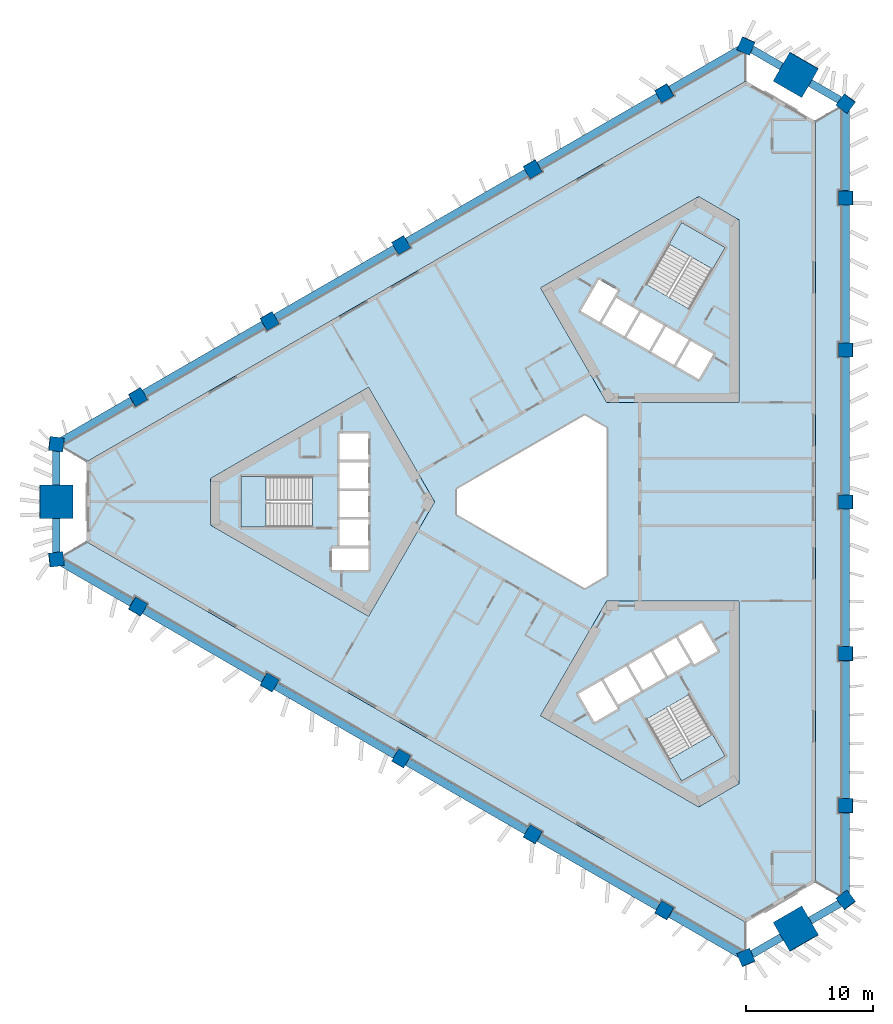
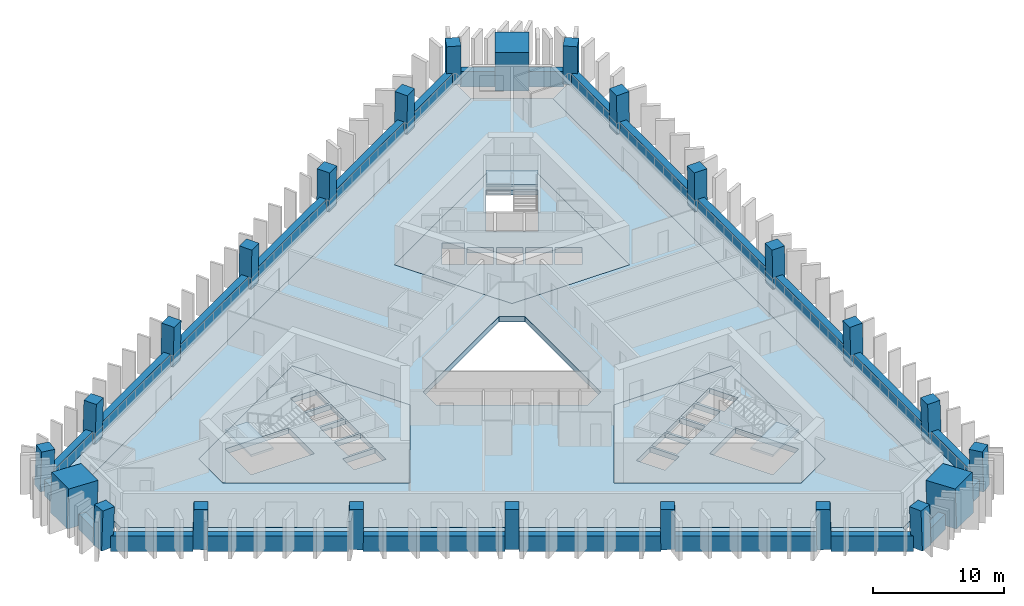
# One storey, part 1 of 10: 24 beams, 24 columns, 10 slabs, 3 elements without a shape of their own.
"""IFC4 building model written with IfcOpenShell, lengths in metres."""

from ifc_helpers import new_model, si_unit, direction, frame, origin, origin_2d, place, context, subcontext, project, spatial, polyline, rectangle, outline, extrude, material, layer, layer_set, material_profile, profile_set, type_object, element, aggregate, save


model = new_model("IFC4")

# Units and contexts
model_context = context("Model", 3, precision=1e-05, world=origin(), true_north=direction((0.0, 1.0)))
body_context = subcontext(model_context, "Body", "Model", "MODEL_VIEW")
ifc_project = project(units=[si_unit("LENGTHUNIT", "METRE"), si_unit("AREAUNIT", "SQUARE_METRE"), si_unit("VOLUMEUNIT", "CUBIC_METRE"), si_unit("PLANEANGLEUNIT", "RADIAN"), si_unit("MASSUNIT", "GRAM", prefix="KILO")], contexts=[model_context])

# Site, building, storey
site_placement = place(None, origin())
site = spatial("IfcSite", under=ifc_project, at=site_placement, CompositionType="ELEMENT")
building_placement = place(site_placement, origin())
building = spatial("IfcBuilding", under=site, at=building_placement, Name="Jabali Bay Hotel Tower and Convention Centre", CompositionType="ELEMENT")
storey_placement = place(building_placement, frame((0.0, 0.0, 68.39990234375)))
storey = spatial("IfcBuildingStorey", under=building, at=storey_placement, Name="L15", CompositionType="ELEMENT", Elevation=68.39990234375)

# Columns
ifc_material_1 = material(Name="Concrete C60", Category="concrete")
ifc_material_profile_1 = material_profile(ifc_material_1, rectangle(XDim=1.10009765625, YDim=1.10009765625, at=origin_2d()), Name="Frame column 1100")
ifc_profile_set_1 = profile_set([ifc_material_profile_1], Name="Concrete C60")
column_type_1 = type_object("IfcColumnType", Name="Frame column 1100", PredefinedType="COLUMN", material=ifc_profile_set_1)
column_1_placement = place(storey_placement, frame((84.02685546875, 112.087158203125, 0.0), z_axis=(-0.008375902173, -0.028161497857, 0.999568293966), x_axis=(0.865846465491, 0.499854562095, 0.021338110262)))
element("IfcColumn", 1, at=column_1_placement, inside=storey, type_object=column_type_1, Name="FC2 F1.1 L15", PredefinedType="COLUMN", context=body_context, shape_type="SweptSolid", body=[
    extrude(rectangle(XDim=1.10009765625, YDim=1.10009765625, at=origin_2d()), origin(), (0.0, 0.0, 1.0), 3.701904296875),
])
column_2_placement = place(storey_placement, frame((73.69482421875, 106.121826171875, 0.0), z_axis=(0.000857522362, -0.02282328747, 0.99973914708), x_axis=(0.866054521305, 0.499835732571, 0.010668016277)))
element("IfcColumn", 2, at=column_2_placement, inside=storey, type_object=column_type_1, Name="FC2 F1.2 L15", PredefinedType="COLUMN", context=body_context, shape_type="SweptSolid", body=[
    extrude(rectangle(XDim=1.10009765625, YDim=1.10009765625, at=origin_2d()), origin(), (0.0, 0.0, 1.0), 3.701171875),
])
column_3_placement = place(storey_placement, frame((63.362548828125, 100.156494140625, 0.0), z_axis=(0.010092954999, -0.017481261926, 0.999796248113), x_axis=(0.866020200589, 0.50000901209, 8.5611e-08)))
element("IfcColumn", 3, at=column_3_placement, inside=storey, type_object=column_type_1, Name="FC2 F1.3 L15", PredefinedType="COLUMN", context=body_context, shape_type="SweptSolid", body=[
    extrude(rectangle(XDim=1.10009765625, YDim=1.10009765625, at=origin_2d()), origin(), (0.0, 0.0, 1.0), 3.700927734375),
])
column_4_placement = place(storey_placement, frame((53.030517578125, 94.191162109375, 0.0), z_axis=(0.019327242333, -0.012137244332, 0.999739538582), x_axis=(-0.500205640682, 0.865671471182, 0.020179717829)))
element("IfcColumn", 4, at=column_4_placement, inside=storey, type_object=column_type_1, Name="FC2 F1.4 L15", PredefinedType="COLUMN", context=body_context, shape_type="SweptSolid", body=[
    extrude(rectangle(XDim=1.10009765625, YDim=1.10009765625, at=origin_2d()), origin(), (0.0, 0.0, 1.0), 3.701171875),
])
for number, where, z_axis, x_axis, name in (
    (5, (42.6982421875, 88.22607421875, 0.0), (0.028557219273, -0.006859008786, 0.999568626571), (-0.498515256127, 0.866645794777, 0.020189249707), "FC2 F1.5 L15"),
    (6, (42.6982421875, 71.77392578125, 0.0), (0.028557219273, 0.006859008786, 0.999568626571), (-0.86641042505, 0.498876758723, 0.021329673472), "FC2 F2.1 L15"),
):
    element("IfcColumn", number, at=place(storey_placement, frame(where, z_axis=z_axis, x_axis=x_axis)), inside=storey, type_object=column_type_1, Name=name, PredefinedType="COLUMN", context=body_context, shape_type="SweptSolid", body=[
        extrude(rectangle(XDim=1.10009765625, YDim=1.10009765625, at=origin_2d()), origin(), (0.0, 0.0, 1.0), 3.701904296875),
    ])
column_5_placement = place(storey_placement, frame((53.030517578125, 65.808837890625, 0.0), z_axis=(0.019327242333, 0.012137244332, 0.999739538582), x_axis=(-0.865690923328, 0.500465374709, 0.010659924227)))
element("IfcColumn", 7, at=column_5_placement, inside=storey, type_object=column_type_1, Name="FC2 F2.2 L15", PredefinedType="COLUMN", context=body_context, shape_type="SweptSolid", body=[
    extrude(rectangle(XDim=1.10009765625, YDim=1.10009765625, at=origin_2d()), origin(), (0.0, 0.0, 1.0), 3.701171875),
])
column_6_placement = place(storey_placement, frame((63.362548828125, 59.843505859375, 0.0), z_axis=(0.010092954999, 0.017481261926, 0.999796248113), x_axis=(-0.499907135807, -0.865843746475, 0.020185694418)))
element("IfcColumn", 8, at=column_6_placement, inside=storey, type_object=column_type_1, Name="FC2 F2.3 L15", PredefinedType="COLUMN", context=body_context, shape_type="SweptSolid", body=[
    extrude(rectangle(XDim=1.10009765625, YDim=1.10009765625, at=origin_2d()), origin(), (0.0, 0.0, 1.0), 3.700927734375),
])
column_7_placement = place(storey_placement, frame((73.69482421875, 53.878173828125, 0.0), z_axis=(0.000857522362, 0.02282328747, 0.99973914708), x_axis=(-0.499948828163, -0.865819460392, 0.020194831622)))
element("IfcColumn", 9, at=column_7_placement, inside=storey, type_object=column_type_1, Name="FC2 F2.4 L15", PredefinedType="COLUMN", context=body_context, shape_type="SweptSolid", body=[
    extrude(rectangle(XDim=1.10009765625, YDim=1.10009765625, at=origin_2d()), origin(), (0.0, 0.0, 1.0), 3.701171875),
])
for number, where, z_axis, x_axis, name in (
    (10, (84.02685546875, 47.912841796875, 0.0), (-0.008375902173, 0.028161497857, 0.999568293966), (-0.500239685011, -0.865651400271, 0.02019680047), "FC2 F2.5 L15"),
    (11, (98.274658203125, 56.138916015625, 0.0), (-0.020181329236, 0.021302514194, 0.999569365697), (0.000221612322, -0.999772863353, 0.021311325431), "FC2 F0.1 L15"),
):
    element("IfcColumn", number, at=place(storey_placement, frame(where, z_axis=z_axis, x_axis=x_axis)), inside=storey, type_object=column_type_1, Name=name, PredefinedType="COLUMN", context=body_context, shape_type="SweptSolid", body=[
        extrude(rectangle(XDim=1.10009765625, YDim=1.10009765625, at=origin_2d()), origin(), (0.0, 0.0, 1.0), 3.701904296875),
    ])
column_8_placement = place(storey_placement, frame((98.274658203125, 68.069580078125, 0.0), z_axis=(-0.02018477153, 0.01062009221, 0.999739860484), x_axis=(0.00152725116, -0.999942088064, 0.010653075682)))
element("IfcColumn", 12, at=column_8_placement, inside=storey, type_object=column_type_1, Name="FC2 F0.2 L15", PredefinedType="COLUMN", context=body_context, shape_type="SweptSolid", body=[
    extrude(rectangle(XDim=1.10009765625, YDim=1.10009765625, at=origin_2d()), origin(), (0.0, 0.0, 1.0), 3.701171875),
])
column_9_placement = place(storey_placement, frame((98.274658203125, 80.0, 0.0), z_axis=(-0.02018590991, 0.0, 0.999796243762), x_axis=(0.0, -1.0, 0.0)))
element("IfcColumn", 13, at=column_9_placement, inside=storey, type_object=column_type_1, Name="FC2 F0.3 L15", PredefinedType="COLUMN", context=body_context, shape_type="SweptSolid", body=[
    extrude(rectangle(XDim=1.10009765625, YDim=1.10009765625, at=origin_2d()), origin(), (0.0, 0.0, 1.0), 3.700927734375),
])
column_10_placement = place(storey_placement, frame((98.274658203125, 91.930419921875, 0.0), z_axis=(-0.02018477153, -0.01062009221, 0.999739860484), x_axis=(0.999795100259, -0.00174188376, 0.020167383043)))
element("IfcColumn", 14, at=column_10_placement, inside=storey, type_object=column_type_1, Name="FC2 F0.4 L15", PredefinedType="COLUMN", context=body_context, shape_type="SweptSolid", body=[
    extrude(rectangle(XDim=1.10009765625, YDim=1.10009765625, at=origin_2d()), origin(), (0.0, 0.0, 1.0), 3.701171875),
])
column_11_placement = place(storey_placement, frame((98.274658203125, 103.861083984375, 0.0), z_axis=(-0.020181329236, -0.021302514194, 0.999569365697), x_axis=(0.999796311675, -0.000651607763, 0.020172024417)))
element("IfcColumn", 15, at=column_11_placement, inside=storey, type_object=column_type_1, Name="FC2 F0.5 L15", PredefinedType="COLUMN", context=body_context, shape_type="SweptSolid", body=[
    extrude(rectangle(XDim=1.10009765625, YDim=1.10009765625, at=origin_2d()), origin(), (0.0, 0.0, 1.0), 3.701904296875),
])
for number, where, z_axis, x_axis, name in (
    (16, (98.274658203125, 48.729736328125, 0.0), (-0.020177412175, 0.029013272408, 0.999375355941), (-0.802294874752, -0.596926841554, 0.001131273331), "FC2 V0 L15"),
    (17, (98.274658203125, 111.270263671875, 0.0), (-0.020177412175, -0.029013272408, 0.999375355941), (0.59658679669, 0.801770899856, 0.035321638673), "FC2 V1 L15"),
    (18, (90.443359375, 115.79150390625, 0.0), (-0.015034182801, -0.031914668753, 0.999377519892), (0.917824152126, -0.396985578302, 0.001129776114), "FC2 V2 L15"),
    (19, (36.281982421875, 84.521484375, 0.0), (0.035145708895, -0.002967273734, 0.999377793646), (-0.992630567005, 0.115938808427, 0.035252661559), "FC2 V3 L15"),
    (20, (36.281982421875, 75.478515625, 0.0), (0.035145708895, 0.002967273734, 0.999377793646), (-0.11597127486, 0.99325192574, 0.001129345001), "FC2 V4 L15"),
    (21, (90.443359375, 44.20849609375, 0.0), (-0.015034182801, 0.031914668753, 0.999377519892), (0.396702406246, -0.91726981011, 0.035260407543), "FC2 V5 L15"),
):
    element("IfcColumn", number, at=place(storey_placement, frame(where, z_axis=z_axis, x_axis=x_axis)), inside=storey, type_object=column_type_1, Name=name, PredefinedType="COLUMN", context=body_context, shape_type="SweptSolid", body=[
        extrude(rectangle(XDim=1.10009765625, YDim=1.10009765625, at=origin_2d()), origin(), (0.0, 0.0, 1.0), 3.702392578125),
    ])
ifc_material_2 = material(Name="Concrete C70", Category="concrete")
ifc_material_profile_2 = material_profile(ifc_material_2, rectangle(XDim=2.60009765625, YDim=2.60009765625, at=origin_2d()), Name="Mega column 2600")
ifc_profile_set_2 = profile_set([ifc_material_profile_2], Name="Concrete C70")
column_type_2 = type_object("IfcColumnType", Name="Mega column 2600", PredefinedType="COLUMN", material=ifc_profile_set_2)
for number, where, z_axis, x_axis, name in (
    (22, (94.359130859375, 113.531005859375, 0.0), (-0.017605841609, -0.030529980019, 0.999378784376), (0.866282372425, -0.499554652892, 2.36814e-07), "MC2 M1 L15"),
    (23, (36.281982421875, 80.0, 0.0), (0.03514586362, 0.0, 0.999382193293), (0.0, 1.0, 0.0), "MC2 M0 L15"),
    (24, (94.359130859375, 46.468994140625, 0.0), (-0.017605841609, 0.030529980019, 0.999378784376), (0.499244314507, -0.86574422845, 0.035242663615), "MC2 M2 L15"),
):
    element("IfcColumn", number, at=place(storey_placement, frame(where, z_axis=z_axis, x_axis=x_axis)), inside=storey, type_object=column_type_2, Name=name, PredefinedType="COLUMN", context=body_context, shape_type="SweptSolid", body=[
        extrude(rectangle(XDim=2.60009765625, YDim=2.60009765625, at=origin_2d()), origin(), (0.0, 0.0, 1.0), 3.702392578125),
    ])

# Beams
ifc_material_profile_3 = material_profile(ifc_material_1, rectangle(XDim=0.60009765625, YDim=1.449951171875, at=origin_2d()), Name="Spandrel 600x1450")
ifc_profile_set_3 = profile_set([ifc_material_profile_3], Name="Concrete C60")
beam_type = type_object("IfcBeamType", Name="Spandrel 600x1450", PredefinedType="SPANDREL", material=ifc_profile_set_3)
beam_1_placement = place(storey_placement, frame((93.2265625, 114.16943359375, 0.375), z_axis=(-0.866012012228, 0.500023194138, 0.0), x_axis=(-0.500023194138, -0.866012012228, 0.0)))
element("IfcBeam", 25, at=beam_1_placement, inside=storey, type_object=beam_type, Name="Spandrel M1-V2 L15", PredefinedType="SPANDREL", context=body_context, shape_type="SweptSolid", body=[
    extrude(rectangle(XDim=0.60009765625, YDim=1.449951171875, at=origin_2d()), origin(), (0.0, 0.0, 1.0), 2.670166015625),
])
beam_2_placement = place(storey_placement, frame((89.96142578125, 115.504638671875, 0.375), z_axis=(-0.866030860659, -0.499990548297, 0.0), x_axis=(0.499990548297, -0.866030860659, 0.0)))
element("IfcBeam", 26, at=beam_2_placement, inside=storey, type_object=beam_type, Name="Spandrel V2-F1.1 L15", PredefinedType="SPANDREL", context=body_context, shape_type="SweptSolid", body=[
    extrude(rectangle(XDim=0.60009765625, YDim=1.449951171875, at=origin_2d()), origin(), (0.0, 0.0, 1.0), 6.30615234375),
])
for number, where, z_axis, x_axis, name in (
    (27, (83.54736328125, 111.801513671875, 0.375), (-0.866021104788, -0.500007446007, 0.0), (0.500007446007, -0.866021104788, 0.0), "Spandrel F1.1-F1.2 L15"),
    (28, (73.21875, 105.838134765625, 0.375), (-0.866030869389, -0.499990533176, 0.0), (0.499990533176, -0.866030869389, 0.0), "Spandrel F1.2-F1.3 L15"),
    (29, (62.89013671875, 99.875, 0.375), (-0.866021104788, -0.500007446007, 0.0), (0.500007446007, -0.866021104788, 0.0), "Spandrel F1.3-F1.4 L15"),
):
    element("IfcBeam", number, at=place(storey_placement, frame(where, z_axis=z_axis, x_axis=x_axis)), inside=storey, type_object=beam_type, Name=name, PredefinedType="SPANDREL", context=body_context, shape_type="SweptSolid", body=[
        extrude(rectangle(XDim=0.60009765625, YDim=1.449951171875, at=origin_2d()), origin(), (0.0, 0.0, 1.0), 10.826416015625),
    ])
beam_3_placement = place(storey_placement, frame((52.5615234375, 93.91162109375, 0.375), z_axis=(-0.866036506645, -0.499980768789, 0.0), x_axis=(0.499980768789, -0.866036506645, 0.0)))
element("IfcBeam", 30, at=beam_3_placement, inside=storey, type_object=beam_type, Name="Spandrel F1.4-F1.5 L15", PredefinedType="SPANDREL", context=body_context, shape_type="SweptSolid", body=[
    extrude(rectangle(XDim=0.60009765625, YDim=1.449951171875, at=origin_2d()), origin(), (0.0, 0.0, 1.0), 10.82666015625),
])
beam_4_placement = place(storey_placement, frame((42.232666015625, 87.948486328125, 0.375), z_axis=(-0.866021182053, -0.500007312183, 0.0), x_axis=(0.500007312183, -0.866021182053, 0.0)))
element("IfcBeam", 31, at=beam_4_placement, inside=storey, type_object=beam_type, Name="Spandrel F1.5-V3 L15", PredefinedType="SPANDREL", context=body_context, shape_type="SweptSolid", body=[
    extrude(rectangle(XDim=0.60009765625, YDim=1.449951171875, at=origin_2d()), origin(), (0.0, 0.0, 1.0), 6.30615234375),
])
for number, where, z_axis, x_axis, name in (
    (32, (36.295166015625, 83.97021484375, 0.375), (0.0, -1.0, 0.0), (1.0, 0.0, 0.0), "Spandrel V3-M0 L15"),
    (33, (36.295166015625, 78.699951171875, 0.375), (0.0, -1.0, 0.0), (1.0, 0.0, 0.0), "Spandrel M0-V4 L15"),
):
    element("IfcBeam", number, at=place(storey_placement, frame(where, z_axis=z_axis, x_axis=x_axis)), inside=storey, type_object=beam_type, Name=name, PredefinedType="SPANDREL", context=body_context, shape_type="SweptSolid", body=[
        extrude(rectangle(XDim=0.60009765625, YDim=1.449951171875, at=origin_2d()), origin(), (0.0, 0.0, 1.0), 2.670166015625),
    ])
beam_5_placement = place(storey_placement, frame((36.771484375, 75.20458984375, 0.375), z_axis=(0.866021182053, -0.500007312183, 0.0), x_axis=(0.500007312183, 0.866021182053, 0.0)))
element("IfcBeam", 34, at=beam_5_placement, inside=storey, type_object=beam_type, Name="Spandrel V4-F2.1 L15", PredefinedType="SPANDREL", context=body_context, shape_type="SweptSolid", body=[
    extrude(rectangle(XDim=0.60009765625, YDim=1.449951171875, at=origin_2d()), origin(), (0.0, 0.0, 1.0), 6.30615234375),
])
beam_6_placement = place(storey_placement, frame((43.185302734375, 71.50146484375, 0.375), z_axis=(0.866036506645, -0.499980768789, 0.0), x_axis=(0.499980768789, 0.866036506645, 0.0)))
element("IfcBeam", 35, at=beam_6_placement, inside=storey, type_object=beam_type, Name="Spandrel F2.1-F2.2 L15", PredefinedType="SPANDREL", context=body_context, shape_type="SweptSolid", body=[
    extrude(rectangle(XDim=0.60009765625, YDim=1.449951171875, at=origin_2d()), origin(), (0.0, 0.0, 1.0), 10.82666015625),
])
for number, where, z_axis, x_axis, name in (
    (36, (53.51416015625, 65.538330078125, 0.375), (0.866021104788, -0.500007446007, 0.0), (0.500007446007, 0.866021104788, 0.0), "Spandrel F2.2-F2.3 L15"),
    (37, (63.8427734375, 59.574951171875, 0.375), (0.866030869389, -0.499990533176, 0.0), (0.499990533176, 0.866030869389, 0.0), "Spandrel F2.3-F2.4 L15"),
    (38, (74.17138671875, 53.61181640625, 0.375), (0.866021104788, -0.500007446007, 0.0), (0.500007446007, 0.866021104788, 0.0), "Spandrel F2.4-F2.5 L15"),
):
    element("IfcBeam", number, at=place(storey_placement, frame(where, z_axis=z_axis, x_axis=x_axis)), inside=storey, type_object=beam_type, Name=name, PredefinedType="SPANDREL", context=body_context, shape_type="SweptSolid", body=[
        extrude(rectangle(XDim=0.60009765625, YDim=1.449951171875, at=origin_2d()), origin(), (0.0, 0.0, 1.0), 10.826416015625),
    ])
beam_7_placement = place(storey_placement, frame((84.5, 47.6484375, 0.375), z_axis=(0.866030860659, -0.499990548297, 0.0), x_axis=(0.499990548297, 0.866030860659, 0.0)))
element("IfcBeam", 39, at=beam_7_placement, inside=storey, type_object=beam_type, Name="Spandrel F2.5-V5 L15", PredefinedType="SPANDREL", context=body_context, shape_type="SweptSolid", body=[
    extrude(rectangle(XDim=0.60009765625, YDim=1.449951171875, at=origin_2d()), origin(), (0.0, 0.0, 1.0), 6.30615234375),
])
for number, where, z_axis, x_axis, name in (
    (40, (90.9140625, 44.495361328125, 0.375), (0.866012012228, 0.500023194138, 0.0), (-0.500023194138, 0.866012012228, 0.0), "Spandrel V5-M2 L15"),
    (41, (95.478271484375, 47.130615234375, 0.375), (0.866012012228, 0.500023194138, 0.0), (-0.500023194138, 0.866012012228, 0.0), "Spandrel M2-V0 L15"),
):
    element("IfcBeam", number, at=place(storey_placement, frame(where, z_axis=z_axis, x_axis=x_axis)), inside=storey, type_object=beam_type, Name=name, PredefinedType="SPANDREL", context=body_context, shape_type="SweptSolid", body=[
        extrude(rectangle(XDim=0.60009765625, YDim=1.449951171875, at=origin_2d()), origin(), (0.0, 0.0, 1.0), 2.670166015625),
    ])
beam_8_placement = place(storey_placement, frame((98.26708984375, 49.290771484375, 0.375), z_axis=(0.0, 1.0, 0.0), x_axis=(-1.0, 0.0, 0.0)))
element("IfcBeam", 42, at=beam_8_placement, inside=storey, type_object=beam_type, Name="Spandrel V0-F0.1 L15", PredefinedType="SPANDREL", context=body_context, shape_type="SweptSolid", body=[
    extrude(rectangle(XDim=0.60009765625, YDim=1.449951171875, at=origin_2d()), origin(), (0.0, 0.0, 1.0), 6.30615234375),
])
for number, where, z_axis, x_axis, name in (
    (43, (98.26708984375, 56.697021484375, 0.375), (0.0, 1.0, 0.0), (-1.0, 0.0, 0.0), "Spandrel F0.1-F0.2 L15"),
    (44, (98.26708984375, 68.62353515625, 0.375), (0.0, 1.0, 0.0), (-1.0, 0.0, 0.0), "Spandrel F0.2-F0.3 L15"),
    (45, (98.26708984375, 80.550048828125, 0.375), (0.0, 1.0, 0.0), (-1.0, 0.0, 0.0), "Spandrel F0.3-F0.4 L15"),
    (46, (98.26708984375, 92.4765625, 0.375), (0.0, 1.0, 0.0), (-1.0, 0.0, 0.0), "Spandrel F0.4-F0.5 L15"),
):
    element("IfcBeam", number, at=place(storey_placement, frame(where, z_axis=z_axis, x_axis=x_axis)), inside=storey, type_object=beam_type, Name=name, PredefinedType="SPANDREL", context=body_context, shape_type="SweptSolid", body=[
        extrude(rectangle(XDim=0.60009765625, YDim=1.449951171875, at=origin_2d()), origin(), (0.0, 0.0, 1.0), 10.826416015625),
    ])
beam_9_placement = place(storey_placement, frame((98.26708984375, 104.403076171875, 0.375), z_axis=(0.0, 1.0, 0.0), x_axis=(-1.0, 0.0, 0.0)))
element("IfcBeam", 47, at=beam_9_placement, inside=storey, type_object=beam_type, Name="Spandrel F0.5-V1 L15", PredefinedType="SPANDREL", context=body_context, shape_type="SweptSolid", body=[
    extrude(rectangle(XDim=0.60009765625, YDim=1.449951171875, at=origin_2d()), origin(), (0.0, 0.0, 1.0), 6.30615234375),
])
beam_10_placement = place(storey_placement, frame((97.790771484375, 111.5341796875, 0.375), z_axis=(-0.866012012228, 0.500023194138, 0.0), x_axis=(-0.500023194138, -0.866012012228, 0.0)))
element("IfcBeam", 48, at=beam_10_placement, inside=storey, type_object=beam_type, Name="Spandrel V1-M1 L15", PredefinedType="SPANDREL", context=body_context, shape_type="SweptSolid", body=[
    extrude(rectangle(XDim=0.60009765625, YDim=1.449951171875, at=origin_2d()), origin(), (0.0, 0.0, 1.0), 2.670166015625),
])

# Slabs
ifc_material_3 = material(Name="Concrete C40", Category="concrete")
ifc_layer_1 = layer(ifc_material_3, 0.5)
ifc_layer_set_1 = layer_set([ifc_layer_1], Name="Concrete C40")
slab_type_1 = type_object("IfcSlabType", Name="Core floor slab 500", PredefinedType="FLOOR", material=ifc_layer_set_1)
slab_1_placement = place(storey_placement, frame((0.0, 0.0, -0.5)))
element("IfcSlab", 49, at=slab_1_placement, inside=storey, type_object=slab_type_1, Name="Core floor slab 1 L15", PredefinedType="FLOOR", context=body_context, shape_type="SweptSolid", body=[
    extrude(outline(polyline([(66.0, 80.0), (60.81005859375, 88.9892578125), (48.39697265625, 81.82275390625), (48.39697265625, 78.17724609375), (60.81005859375, 71.0107421875), (66.0, 80.0)]), holes=[polyline([(60.800048828125, 74.64990234375), (60.800048828125, 76.35009765625), (57.949951171875, 76.35009765625), (57.949951171875, 74.64990234375), (60.800048828125, 74.64990234375)]), polyline([(58.52001953125, 76.550048828125), (60.800048828125, 76.550048828125), (60.800048828125, 78.60009765625), (58.52001953125, 78.60009765625), (58.52001953125, 76.550048828125)]), polyline([(58.52001953125, 78.800048828125), (60.800048828125, 78.800048828125), (60.800048828125, 80.85009765625), (58.52001953125, 80.85009765625), (58.52001953125, 78.800048828125)]), polyline([(56.409912109375, 81.97509765625), (50.820068359375, 81.97509765625), (50.820068359375, 78.02490234375), (56.409912109375, 78.02490234375), (56.409912109375, 81.97509765625)]), polyline([(58.52001953125, 81.050048828125), (60.800048828125, 81.050048828125), (60.800048828125, 83.10009765625), (58.52001953125, 83.10009765625), (58.52001953125, 81.050048828125)]), polyline([(58.52001953125, 83.300048828125), (60.800048828125, 83.300048828125), (60.800048828125, 85.35009765625), (58.52001953125, 85.35009765625), (58.52001953125, 83.300048828125)])]), origin(), (0.0, 0.0, 1.0), 0.5),
])
slab_2_placement = place(storey_placement, frame((0.0, 0.0, -0.5)))
element("IfcSlab", 50, at=slab_2_placement, inside=storey, type_object=slab_type_1, Name="Core floor slab 2 L15", PredefinedType="FLOOR", context=body_context, shape_type="SweptSolid", body=[
    extrude(outline(polyline([(79.5, 87.794189453125), (89.8798828125, 87.794189453125), (89.8798828125, 102.127685546875), (86.72314453125, 103.9501953125), (74.31005859375, 96.78369140625), (79.5, 87.794189453125)]), holes=[polyline([(84.957763671875, 90.6474609375), (86.733154296875, 89.62255859375), (87.873291015625, 91.59716796875), (86.097900390625, 92.6220703125), (84.957763671875, 90.6474609375)]), polyline([(84.1494140625, 93.7470703125), (83.00927734375, 91.7724609375), (84.78466796875, 90.74755859375), (85.924560546875, 92.72216796875), (84.1494140625, 93.7470703125)]), polyline([(82.20068359375, 94.8720703125), (81.060791015625, 92.8974609375), (82.836181640625, 91.87255859375), (83.97607421875, 93.84716796875), (82.20068359375, 94.8720703125)]), polyline([(79.1123046875, 94.0224609375), (80.887451171875, 92.99755859375), (82.027587890625, 94.97216796875), (80.252197265625, 95.9970703125), (79.1123046875, 94.0224609375)]), polyline([(78.891845703125, 97.440673828125), (77.466796875, 94.97265625), (78.93896484375, 94.12255859375), (80.364013671875, 96.5908203125), (78.891845703125, 97.440673828125)]), polyline([(82.584716796875, 97.0869140625), (86.00537109375, 95.11181640625), (88.80029296875, 99.952880859375), (85.379638671875, 101.927978515625), (82.584716796875, 97.0869140625)])]), origin(), (0.0, 0.0, 1.0), 0.5),
])
slab_3_placement = place(storey_placement, frame((0.0, 0.0, -0.5)))
element("IfcSlab", 51, at=slab_3_placement, inside=storey, type_object=slab_type_1, Name="Core floor slab 3 L15", PredefinedType="FLOOR", context=body_context, shape_type="SweptSolid", body=[
    extrude(outline(polyline([(79.5, 72.205810546875), (74.31005859375, 63.21630859375), (86.72314453125, 56.0498046875), (89.8798828125, 57.872314453125), (89.8798828125, 72.205810546875), (79.5, 72.205810546875)]), holes=[polyline([(82.584716796875, 62.9130859375), (85.379638671875, 58.072021484375), (88.80029296875, 60.047119140625), (86.00537109375, 64.88818359375), (82.584716796875, 62.9130859375)]), polyline([(80.365478515625, 63.756591796875), (79.090576171875, 65.96484375), (77.27197265625, 64.9150390625), (78.546875, 62.70654296875), (80.365478515625, 63.756591796875)]), polyline([(82.17919921875, 65.115478515625), (81.0390625, 67.08984375), (79.263671875, 66.06494140625), (80.40380859375, 64.09033203125), (82.17919921875, 65.115478515625)]), polyline([(82.98779296875, 68.21484375), (81.21240234375, 67.18994140625), (82.352294921875, 65.21533203125), (84.127685546875, 66.240478515625), (82.98779296875, 68.21484375)]), polyline([(86.076171875, 67.365478515625), (84.936279296875, 69.33984375), (83.160888671875, 68.31494140625), (84.30078125, 66.34033203125), (86.076171875, 67.365478515625)]), polyline([(88.203125, 68.281494140625), (86.927978515625, 70.489990234375), (85.109375, 69.43994140625), (86.384521484375, 67.231689453125), (88.203125, 68.281494140625)])]), origin(), (0.0, 0.0, 1.0), 0.5),
])
ifc_layer_2 = layer(ifc_material_3, 0.199951171875)
ifc_layer_set_2 = layer_set([ifc_layer_2], Name="Concrete C40")
slab_type_2 = type_object("IfcSlabType", Name="Loggia slab 200", PredefinedType="FLOOR", material=ifc_layer_set_2)
slab_4_placement = place(storey_placement, frame((0.0, 0.0, -0.199951171875)))
element("IfcSlab", 52, at=slab_4_placement, inside=storey, type_object=slab_type_2, Name="Loggia slab east face L15", PredefinedType="FLOOR", context=body_context, shape_type="SweptSolid", body=[
    extrude(outline(polyline([(95.874755859375, 109.884521484375), (97.756103515625, 110.970703125), (97.974853515625, 110.807861328125), (97.974853515625, 104.4111328125), (97.724853515625, 104.4111328125), (97.724853515625, 103.31103515625), (97.974853515625, 103.31103515625), (97.974853515625, 92.48046875), (97.724853515625, 92.48046875), (97.724853515625, 91.380615234375), (97.974853515625, 91.380615234375), (97.974853515625, 80.550048828125), (97.724853515625, 80.550048828125), (97.724853515625, 79.449951171875), (97.974853515625, 79.449951171875), (97.974853515625, 68.619384765625), (97.724853515625, 68.619384765625), (97.724853515625, 67.51953125), (97.974853515625, 67.51953125), (97.974853515625, 56.68896484375), (97.724853515625, 56.68896484375), (97.724853515625, 55.5888671875), (97.974853515625, 55.5888671875), (97.974853515625, 49.192138671875), (97.756103515625, 49.029296875), (95.874755859375, 50.115478515625), (95.874755859375, 109.884521484375)])), origin(), (0.0, 0.0, 1.0), 0.199951171875),
])
slab_5_placement = place(storey_placement, frame((0.0, 0.0, -0.199951171875)))
element("IfcSlab", 53, at=slab_5_placement, inside=storey, type_object=slab_type_2, Name="Loggia slab north-west face L15", PredefinedType="FLOOR", context=body_context, shape_type="SweptSolid", body=[
    extrude(outline(polyline([(38.681884765625, 83.1357421875), (36.800537109375, 84.221923828125), (36.832275390625, 84.49267578125), (42.3720703125, 87.691162109375), (42.4970703125, 87.474609375), (43.44970703125, 88.024658203125), (43.32470703125, 88.2412109375), (52.7041015625, 93.656494140625), (52.8291015625, 93.43994140625), (53.78173828125, 93.989990234375), (53.65673828125, 94.20654296875), (63.036376953125, 99.621826171875), (63.161376953125, 99.4052734375), (64.114013671875, 99.955322265625), (63.989013671875, 100.171630859375), (73.368408203125, 105.5869140625), (73.493408203125, 105.370361328125), (74.446044921875, 105.92041015625), (74.321044921875, 106.136962890625), (83.70068359375, 111.55224609375), (83.82568359375, 111.335693359375), (84.7783203125, 111.8857421875), (84.6533203125, 112.102294921875), (90.193115234375, 115.300537109375), (90.443359375, 115.192626953125), (90.443359375, 113.020263671875), (38.681884765625, 83.1357421875)])), origin(), (0.0, 0.0, 1.0), 0.199951171875),
])
slab_6_placement = place(storey_placement, frame((0.0, 0.0, -0.199951171875)))
element("IfcSlab", 54, at=slab_6_placement, inside=storey, type_object=slab_type_2, Name="Loggia slab south-west face L15", PredefinedType="FLOOR", context=body_context, shape_type="SweptSolid", body=[
    extrude(outline(polyline([(90.443359375, 46.979736328125), (90.443359375, 44.807373046875), (90.193115234375, 44.699462890625), (84.6533203125, 47.897705078125), (84.7783203125, 48.1142578125), (83.82568359375, 48.664306640625), (83.70068359375, 48.44775390625), (74.321044921875, 53.863037109375), (74.446044921875, 54.07958984375), (73.493408203125, 54.629638671875), (73.368408203125, 54.4130859375), (63.989013671875, 59.828369140625), (64.114013671875, 60.044677734375), (63.161376953125, 60.5947265625), (63.036376953125, 60.378173828125), (53.65673828125, 65.79345703125), (53.78173828125, 66.010009765625), (52.8291015625, 66.56005859375), (52.7041015625, 66.343505859375), (43.32470703125, 71.7587890625), (43.44970703125, 71.975341796875), (42.4970703125, 72.525390625), (42.3720703125, 72.308837890625), (36.832275390625, 75.50732421875), (36.800537109375, 75.778076171875), (38.681884765625, 76.8642578125), (90.443359375, 46.979736328125)])), origin(), (0.0, 0.0, 1.0), 0.199951171875),
])
ifc_layer_3 = layer(ifc_material_3, 0.5)
ifc_layer_set_3 = layer_set([ifc_layer_3], Name="Concrete C40")
slab_type_3 = type_object("IfcSlabType", Name="Post-tensioned flat slab 500", PredefinedType="FLOOR", material=ifc_layer_set_3)
slab_7_placement = place(storey_placement, frame((0.0, 0.0, -0.5)))
element("IfcSlab", 55, at=slab_7_placement, inside=storey, type_object=slab_type_3, Name="Floor slab L15", PredefinedType="FLOOR", context=body_context, shape_type="SweptSolid", body=[
    extrude(outline(polyline([(90.443359375, 113.020263671875), (95.874755859375, 109.884521484375), (95.874755859375, 50.115478515625), (90.443359375, 46.979736328125), (38.681884765625, 76.8642578125), (38.681884765625, 83.1357421875), (90.443359375, 113.020263671875)]), holes=[polyline([(67.73193359375, 79.0), (77.76806640625, 73.205810546875), (79.5, 74.205810546875), (79.5, 85.794189453125), (77.76806640625, 86.794189453125), (67.73193359375, 81.0), (67.73193359375, 79.0)]), polyline([(48.39697265625, 78.17724609375), (60.81005859375, 71.0107421875), (66.0, 80.0), (60.81005859375, 88.9892578125), (48.39697265625, 81.82275390625), (48.39697265625, 78.17724609375)]), polyline([(89.8798828125, 102.127685546875), (86.72314453125, 103.9501953125), (74.31005859375, 96.78369140625), (79.5, 87.794189453125), (89.8798828125, 87.794189453125), (89.8798828125, 102.127685546875)]), polyline([(74.31005859375, 63.21630859375), (86.72314453125, 56.0498046875), (89.8798828125, 57.872314453125), (89.8798828125, 72.205810546875), (79.5, 72.205810546875), (74.31005859375, 63.21630859375)])]), origin(), (0.0, 0.0, 1.0), 0.5),
])

# Stair, slab
stair_type = type_object("IfcStairType", Name="Exit stair 1900", PredefinedType="HALF_TURN_STAIR", material=ifc_material_3)
stair_1_placement = place(storey_placement, origin())
stair_1 = element("IfcStair", 56, at=stair_1_placement, inside=storey, type_object=stair_type, Name="L15 Exit Stair 1", PredefinedType="HALF_TURN_STAIR")
ifc_layer_4 = layer(ifc_material_3, 0.199951171875)
ifc_layer_set_4 = layer_set([ifc_layer_4], Name="Concrete C40")
slab_type_4 = type_object("IfcSlabType", Name="Stair landing 200", PredefinedType="LANDING", material=ifc_layer_set_4)
slab_8_placement = place(storey_placement, frame((0.0, 0.0, 1.650146484375)))
slab_8 = element("IfcSlab", 57, at=slab_8_placement, type_object=slab_type_4, Name="ST1 landing 1", PredefinedType="LANDING", context=body_context, shape_type="SweptSolid", body=[
    extrude(outline(polyline([(52.782958984375, 81.97509765625), (50.820068359375, 81.97509765625), (50.820068359375, 78.02490234375), (52.782958984375, 78.02490234375), (52.782958984375, 81.97509765625)])), origin(), (0.0, 0.0, 1.0), 0.199951171875),
])
aggregate(stair_1, [slab_8])

stair_2_placement = place(storey_placement, origin())
stair_2 = element("IfcStair", 58, at=stair_2_placement, inside=storey, type_object=stair_type, Name="L15 Exit Stair 2", PredefinedType="HALF_TURN_STAIR")
slab_9_placement = place(storey_placement, frame((0.0, 0.0, 1.650146484375)))
slab_9 = element("IfcSlab", 59, at=slab_9_placement, type_object=slab_type_4, Name="ST2 landing 1", PredefinedType="LANDING", context=body_context, shape_type="SweptSolid", body=[
    extrude(outline(polyline([(87.81884765625, 98.2529296875), (88.80029296875, 99.952880859375), (85.379638671875, 101.927978515625), (84.398193359375, 100.22802734375), (87.81884765625, 98.2529296875)])), origin(), (0.0, 0.0, 1.0), 0.199951171875),
])
aggregate(stair_2, [slab_9])

stair_3_placement = place(storey_placement, origin())
stair_3 = element("IfcStair", 60, at=stair_3_placement, inside=storey, type_object=stair_type, Name="L15 Exit Stair 3", PredefinedType="HALF_TURN_STAIR")
slab_10_placement = place(storey_placement, frame((0.0, 0.0, 1.650146484375)))
slab_10 = element("IfcSlab", 61, at=slab_10_placement, type_object=slab_type_4, Name="ST3 landing 1", PredefinedType="LANDING", context=body_context, shape_type="SweptSolid", body=[
    extrude(outline(polyline([(84.398193359375, 59.77197265625), (85.379638671875, 58.072021484375), (88.80029296875, 60.047119140625), (87.81884765625, 61.7470703125), (84.398193359375, 59.77197265625)])), origin(), (0.0, 0.0, 1.0), 0.199951171875),
])
aggregate(stair_3, [slab_10])

save(model, "model.ifc")
